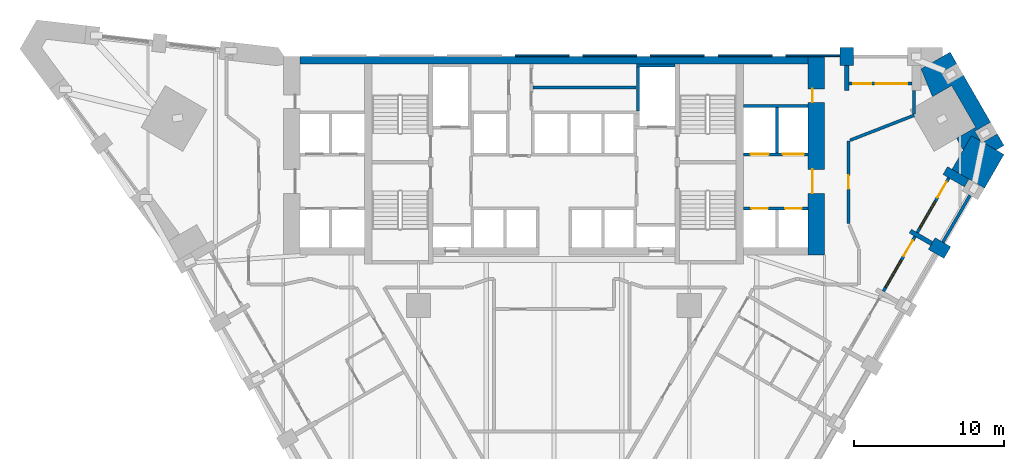
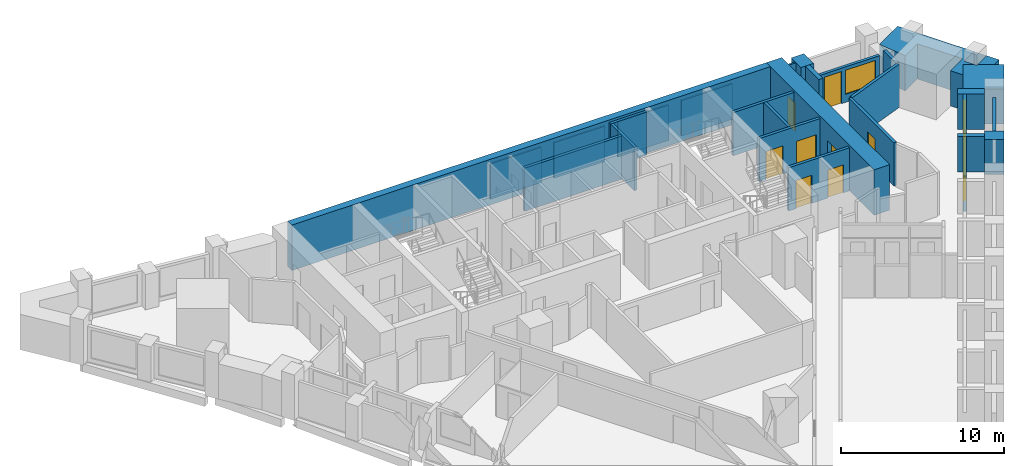
# One storey, part 8 of 10: 28 walls, 10 doors, 3 windows, 13 openings.
"""IFC4 building model written with IfcOpenShell, lengths in metres."""

from ifc_helpers import new_model, si_unit, direction, frame, frame_2d, origin, place, context, subcontext, project, spatial, polyline, rectangle, outline, extrude, material, layer, layer_set, type_object, element, fill, save


model = new_model("IFC4")

# Units and contexts
model_context = context("Model", 3, precision=1e-05, world=origin(), true_north=direction((0.0, 1.0)))
body_context = subcontext(model_context, "Body", "Model", "MODEL_VIEW")
ifc_project = project(units=[si_unit("LENGTHUNIT", "METRE"), si_unit("AREAUNIT", "SQUARE_METRE"), si_unit("VOLUMEUNIT", "CUBIC_METRE"), si_unit("PLANEANGLEUNIT", "RADIAN"), si_unit("MASSUNIT", "GRAM", prefix="KILO")], contexts=[model_context])

# Site, building, storey
site_placement = place(None, origin())
site = spatial("IfcSite", under=ifc_project, at=site_placement, CompositionType="ELEMENT")
building_placement = place(site_placement, origin())
building = spatial("IfcBuilding", under=site, at=building_placement, Name="Calabash Gate Tower", CompositionType="ELEMENT")
storey_placement = place(building_placement, frame((0.0, 0.0, 63.0)))
storey = spatial("IfcBuildingStorey", under=building, at=storey_placement, Name="L11", CompositionType="ELEMENT", Elevation=63.0)

# Walls
ifc_material_1 = material(Name="Terracotta brick masonry, exposed face", Category="masonry")
ifc_layer_1 = layer(ifc_material_1, 2.5)
ifc_layer_set_1 = layer_set([ifc_layer_1], Name="Brick corner mass wall 2500")
wall_type_1 = type_object("IfcWallType", Name="Brick corner mass wall 2500", PredefinedType="SOLIDWALL", material=ifc_layer_set_1)
wall_1_placement = place(storey_placement, origin())
element("IfcWall", 1, at=wall_1_placement, inside=storey, type_object=wall_type_1, Name="Brick corner pier S02 3a", PredefinedType="SOLIDWALL", context=body_context, shape_type="SweptSolid", body=[
    extrude(outline(polyline([(26.478759765625, 11.557373046875), (28.643798828125, 10.307373046875), (29.935302734375, 12.544189453125), (28.53076171875, 13.35498046875), (28.453369140625, 13.310302734375), (28.3759765625, 13.444580078125), (27.770263671875, 13.794189453125), (26.478759765625, 11.557373046875)])), origin(), (0.0, 0.0, 1.0), 2.6298828125),
])
wall_2_placement = place(storey_placement, origin())
element("IfcWall", 2, at=wall_2_placement, inside=storey, type_object=wall_type_1, Name="Brick corner pier S02 3b", PredefinedType="SOLIDWALL", context=body_context, shape_type="SweptSolid", body=[
    extrude(outline(polyline([(27.2216796875, 12.84423828125), (27.770263671875, 13.794189453125), (28.3759765625, 13.444580078125), (28.00341796875, 14.089599609375), (29.042724609375, 14.689697265625), (29.49267578125, 13.910400390625), (28.53076171875, 13.35498046875), (29.41552734375, 12.84423828125), (29.935302734375, 13.144287109375), (26.350830078125, 19.3525390625), (24.413818359375, 18.234375), (25.17724609375, 16.38525390625), (26.45458984375, 17.12255859375), (28.0546875, 14.351318359375), (26.77734375, 13.614013671875), (27.2216796875, 12.84423828125)])), origin(), (0.0, 0.0, 1.0), 2.6298828125),
])
ifc_material_2 = material(Name="Terracotta brick masonry, exposed face", Category="masonry")
ifc_layer_2 = layer(ifc_material_2, 1.199951171875)
ifc_layer_set_2 = layer_set([ifc_layer_2], Name="Brick end wall 1200")
wall_type_2 = type_object("IfcWallType", Name="Brick end wall 1200", PredefinedType="SOLIDWALL", material=ifc_layer_set_2)
wall_3_placement = place(storey_placement, frame((26.168701171875, 6.0205078125, 0.0), z_axis=(0.0, 0.0, 1.0), x_axis=(-0.865955154139, 0.50012165622, 0.0)))
element("IfcWall", 3, at=wall_3_placement, inside=storey, type_object=wall_type_2, Name="Brick pier S02 SE2.9", PredefinedType="SOLIDWALL", context=body_context, shape_type="SweptSolid", body=[
    extrude(rectangle(XDim=1.199951171875, YDim=0.89990234375, at=frame_2d((0.60009765625, 0.0))), origin(), (0.0, 0.0, 1.0), 2.6298828125),
])
wall_4_placement = place(storey_placement, origin())
element("IfcWall", 4, at=wall_4_placement, inside=storey, type_object=wall_type_2, Name="Brick pier S02 N4.1", PredefinedType="SOLIDWALL", context=body_context, shape_type="SweptSolid", body=[
    extrude(outline(polyline([(19.913818359375, 19.652587890625), (19.013916015625, 19.652587890625), (19.013916015625, 18.45263671875), (19.913818359375, 18.45263671875), (19.913818359375, 19.652587890625)])), origin(), (0.0, 0.0, 1.0), 2.64990234375),
])
ifc_material_3 = material(Name="Terracotta brick masonry, exposed face", Category="masonry")
ifc_layer_3 = layer(ifc_material_3, 0.300048828125)
ifc_layer_set_3 = layer_set([ifc_layer_3], Name="Brick loggia cheek wall 300")
wall_type_3 = type_object("IfcWallType", Name="Brick loggia cheek wall 300", PredefinedType="SOLIDWALL", material=ifc_layer_set_3)
wall_5_placement = place(storey_placement, frame((25.129638671875, 6.62060546875, 0.0), z_axis=(0.0, 0.0, 1.0), x_axis=(-0.866040211805, 0.499974350878, 0.0)))
element("IfcWall", 5, at=wall_5_placement, inside=storey, type_object=wall_type_3, Name="Loggia cheek S02 SE2.9", PredefinedType="SOLIDWALL", context=body_context, shape_type="SweptSolid", body=[
    extrude(rectangle(XDim=1.64990234375, YDim=0.300048828125, at=frame_2d((0.824951171875, 0.0))), origin(), (0.0, 0.0, 1.0), 2.64990234375),
])
wall_6_placement = place(storey_placement, frame((27.454345703125, 10.647705078125, 0.0), z_axis=(0.0, 0.0, 1.0), x_axis=(-0.866003217194, 0.500038426333, 0.0)))
element("IfcWall", 6, at=wall_6_placement, inside=storey, type_object=wall_type_3, Name="Loggia cheek S02 SE2.10", PredefinedType="SOLIDWALL", context=body_context, shape_type="SweptSolid", body=[
    extrude(rectangle(XDim=1.649658203125, YDim=0.60009765625, at=frame_2d((0.82470703125, 0.0))), origin(), (0.0, 0.0, 1.0), 2.64990234375),
])
wall_7_placement = place(storey_placement, origin())
element("IfcWall", 7, at=wall_7_placement, inside=storey, type_object=wall_type_3, Name="Loggia cheek S02 N4.1", PredefinedType="SOLIDWALL", context=body_context, shape_type="SweptSolid", body=[
    extrude(outline(polyline([(19.31396484375, 18.45263671875), (19.31396484375, 16.802490234375), (19.614013671875, 16.802490234375), (19.614013671875, 18.45263671875), (19.31396484375, 18.45263671875)])), origin(), (0.0, 0.0, 1.0), 2.64990234375),
])

# Wall, openings, doors
ifc_material_4 = material(Name="Concrete C80/95", Category="concrete")
ifc_layer_4 = layer(ifc_material_4, 1.10009765625)
ifc_layer_set_4 = layer_set([ifc_layer_4], Name="Core wall 1100 Concrete C80/95")
wall_type_4 = type_object("IfcWallType", Name="Core wall 1100 Concrete C80/95", PredefinedType="SHEAR", material=ifc_layer_set_4)
wall_8_placement = place(storey_placement, frame((17.449951171875, 5.8525390625, 0.0), z_axis=(0.0, 0.0, 1.0), x_axis=(0.0, 1.0, 0.0)))
wall_8 = element("IfcWall", 8, at=wall_8_placement, inside=storey, type_object=wall_type_4, Name="Core wall Z1-ENDE L11", PredefinedType="SHEAR", context=body_context, shape_type="SweptSolid", body=[
    extrude(rectangle(XDim=13.199951171875, YDim=1.10009765625, at=frame_2d((6.60009765625, 0.0))), origin(), (0.0, 0.0, 1.0), 3.39990234375),
])
opening_1_placement = place(wall_8_placement, frame((4.10009765625, 0.0, 0.0)))
opening_1 = element("IfcOpeningElement", 9, at=opening_1_placement, cuts=wall_8, Name="Opening H2-002", PredefinedType="OPENING", context=body_context, shape_type="SweptSolid", body=[
    extrude(rectangle(XDim=1.60009765625, YDim=2.10009765625, at=frame_2d((0.800048828125, 1.050048828125))), frame((0.0, 0.56005859375, 0.0), z_axis=(0.0, -1.0, 0.0), x_axis=(1.0, 0.0, 0.0)), (0.0, 0.0, 1.0), 1.1201171875),
])
opening_2_placement = place(wall_8_placement, frame((10.14990234375, 0.0, 0.0)))
opening_2 = element("IfcOpeningElement", 10, at=opening_2_placement, cuts=wall_8, Name="Opening H2-001", PredefinedType="OPENING", context=body_context, shape_type="SweptSolid", body=[
    extrude(rectangle(XDim=0.89990234375, YDim=2.10009765625, at=frame_2d((0.449951171875, 1.050048828125))), frame((0.0, 0.56005859375, 0.0), z_axis=(0.0, -1.0, 0.0), x_axis=(1.0, 0.0, 0.0)), (0.0, 0.0, 1.0), 1.1201171875),
])
ifc_material_5 = material(Name="Steel fire door set with fire-resisting glazing", Category="steel")
door_type_1 = type_object("IfcDoorType", Name="Double fire door D08 1600x2100 FD60", OperationType="DOUBLE_DOOR_SINGLE_SWING", PredefinedType="DOOR", material=ifc_material_5)
door_1_placement = place(opening_1_placement, origin())
door_1 = element("IfcDoor", 11, at=door_1_placement, inside=storey, type_object=door_type_1, Name="Low-rise Lift Lobby E door", OperationType="DOUBLE_DOOR_SINGLE_SWING", OverallHeight=2.10009765625, OverallWidth=1.60009765625, PredefinedType="DOOR", context=body_context, shape_type="SweptSolid", body=[
    extrude(rectangle(XDim=1.60009765625, YDim=2.10009765625, at=frame_2d((0.800048828125, 1.050048828125))), frame((0.0, 0.27490234375, 0.0), z_axis=(0.0, -1.0, 0.0), x_axis=(1.0, 0.0, 0.0)), (0.0, 0.0, 1.0), 0.050048828125),
])
fill(opening_1, door_1)
ifc_material_6 = material(Name="Steel fire door set with fire-resisting glazing", Category="steel")
door_type_2 = type_object("IfcDoorType", Name="Fire door D06 900x2100 FD60", OperationType="NOTDEFINED", PredefinedType="DOOR", material=ifc_material_6)
door_2_placement = place(opening_2_placement, origin())
door_2 = element("IfcDoor", 12, at=door_2_placement, inside=storey, type_object=door_type_2, Name="Luggage Store door", OperationType="SINGLE_SWING_LEFT", OverallHeight=2.10009765625, OverallWidth=0.89990234375, PredefinedType="DOOR", context=body_context, shape_type="SweptSolid", body=[
    extrude(rectangle(XDim=0.89990234375, YDim=2.10009765625, at=frame_2d((0.449951171875, 1.050048828125))), frame((0.0, 0.27490234375, 0.0), z_axis=(0.0, -1.0, 0.0), x_axis=(1.0, 0.0, 0.0)), (0.0, 0.0, 1.0), 0.050048828125),
])
fill(opening_2, door_2)

# Wall
ifc_material_7 = material(Name="Concrete C80/95", Category="concrete")
ifc_layer_5 = layer(ifc_material_7, 0.5)
ifc_layer_set_5 = layer_set([ifc_layer_5], Name="Core wall 500 Concrete C80/95")
wall_type_5 = type_object("IfcWallType", Name="Core wall 500 Concrete C80/95", PredefinedType="SHEAR", material=ifc_layer_set_5)
wall_9_placement = place(storey_placement, frame((-16.89990234375, 18.802490234375, 0.0), z_axis=(0.0, 0.0, 1.0), x_axis=(1.0, 0.0, 0.0)))
element("IfcWall", 13, at=wall_9_placement, inside=storey, type_object=wall_type_5, Name="Core wall Z1-N L11", PredefinedType="SHEAR", context=body_context, shape_type="SweptSolid", body=[
    extrude(rectangle(XDim=33.7998046875, YDim=0.5, at=frame_2d((16.89990234375, 0.0))), origin(), (0.0, 0.0, 1.0), 3.39990234375),
])

# Wall, opening, door
ifc_material_8 = material(Name="Gypsum board on steel studs, mineral wool", Category="steel")
ifc_layer_6 = layer(ifc_material_8, 0.199951171875)
ifc_layer_set_6 = layer_set([ifc_layer_6], Name="Partition 200 gypsum board EI 60")
wall_type_6 = type_object("IfcWallType", Name="Partition 200 gypsum board EI 60", PredefinedType="PARTITIONING", material=ifc_layer_set_6)
wall_10_placement = place(storey_placement, frame((19.6005859375, 7.95263671875, 0.0), z_axis=(0.0, 0.0, 1.0), x_axis=(0.0, 1.0, 0.0)))
wall_10 = element("IfcWall", 14, at=wall_10_placement, inside=storey, type_object=wall_type_6, Name="Partition", PredefinedType="PARTITIONING", context=body_context, shape_type="SweptSolid", body=[
    extrude(rectangle(XDim=5.49951171875, YDim=0.199951171875, at=frame_2d((2.749755859375, 0.0))), origin(), (0.0, 0.0, 1.0), 3.22998046875),
])
opening_3_placement = place(wall_10_placement, frame((2.2998046875, 0.0, 0.0)))
opening_3 = element("IfcOpeningElement", 15, at=opening_3_placement, cuts=wall_10, Name="Opening 09-11-019", PredefinedType="OPENING", context=body_context, shape_type="SweptSolid", body=[
    extrude(rectangle(XDim=0.89990234375, YDim=2.10009765625, at=frame_2d((0.449951171875, 1.050048828125))), frame((0.0, 0.10986328125, 0.0), z_axis=(0.0, -1.0, 0.0), x_axis=(1.0, 0.0, 0.0)), (0.0, 0.0, 1.0), 0.219970703125),
])
ifc_material_9 = material(Name="Steel fire door set with fire-resisting glazing", Category="steel")
door_type_3 = type_object("IfcDoorType", Name="SD3 Store door 900x2100", OperationType="NOTDEFINED", PredefinedType="DOOR", material=ifc_material_9)
door_3_placement = place(opening_3_placement, origin())
door_3 = element("IfcDoor", 16, at=door_3_placement, inside=storey, type_object=door_type_3, Name="Store door", OperationType="SINGLE_SWING_RIGHT", OverallHeight=2.10009765625, OverallWidth=0.89990234375, PredefinedType="DOOR", context=body_context, shape_type="SweptSolid", body=[
    extrude(rectangle(XDim=0.89990234375, YDim=2.10009765625, at=frame_2d((0.449951171875, 1.050048828125))), frame((0.0, 0.02490234375, 0.0), z_axis=(0.0, -1.0, 0.0), x_axis=(1.0, 0.0, 0.0)), (0.0, 0.0, 1.0), 0.050048828125),
])
fill(opening_3, door_3)

# Walls
wall_11_placement = place(storey_placement, frame((19.693603515625, 13.488525390625, 0.0), z_axis=(0.0, 0.0, 1.0), x_axis=(0.931796580006, 0.36298089962, 0.0)))
element("IfcWall", 17, at=wall_11_placement, inside=storey, type_object=wall_type_6, Name="Partition", PredefinedType="PARTITIONING", context=body_context, shape_type="SweptSolid", body=[
    extrude(rectangle(XDim=4.5830078125, YDim=0.199951171875, at=frame_2d((2.29150390625, 0.0))), origin(), (0.0, 0.0, 1.0), 3.22998046875),
])
wall_12_placement = place(storey_placement, frame((23.964111328125, 15.252197265625, 0.0), z_axis=(0.0, 0.0, 1.0), x_axis=(0.000157480313, 0.9999999876, 0.0)))
element("IfcWall", 18, at=wall_12_placement, inside=storey, type_object=wall_type_6, Name="Partition", PredefinedType="PARTITIONING", context=body_context, shape_type="SweptSolid", body=[
    extrude(rectangle(XDim=1.55029296875, YDim=0.199951171875, at=frame_2d((0.775146484375, 0.0))), origin(), (0.0, 0.0, 1.0), 3.22998046875),
])

# Wall, openings, doors
ifc_material_10 = material(Name="Concrete C40/50", Category="concrete")
ifc_layer_7 = layer(ifc_material_10, 0.199951171875)
ifc_layer_set_7 = layer_set([ifc_layer_7], Name="Shaft wall 200 Concrete C40/50")
wall_type_7 = type_object("IfcWallType", Name="Shaft wall 200 Concrete C40/50", PredefinedType="SOLIDWALL", material=ifc_layer_set_7)
wall_13_placement = place(storey_placement, frame((12.60009765625, 8.95263671875, 0.0), z_axis=(0.0, 0.0, 1.0), x_axis=(1.0, 0.0, 0.0)))
wall_13 = element("IfcWall", 19, at=wall_13_placement, inside=storey, type_object=wall_type_7, Name="Shaft wall", PredefinedType="SOLIDWALL", context=body_context, shape_type="SweptSolid", body=[
    extrude(rectangle(XDim=4.2998046875, YDim=0.199951171875, at=frame_2d((2.14990234375, 0.0))), origin(), (0.0, 0.0, 1.0), 3.22998046875),
])
opening_4_placement = place(wall_13_placement, frame((0.52490234375, 0.0, 0.0)))
opening_4 = element("IfcOpeningElement", 20, at=opening_4_placement, cuts=wall_13, Name="Opening LD-LR5", PredefinedType="OPENING", context=body_context, shape_type="SweptSolid", body=[
    extrude(rectangle(XDim=1.10009765625, YDim=2.10009765625, at=frame_2d((0.550048828125, 1.050048828125))), frame((0.0, 0.10986328125, 0.0), z_axis=(0.0, -1.0, 0.0), x_axis=(1.0, 0.0, 0.0)), (0.0, 0.0, 1.0), 0.219970703125),
])
opening_5_placement = place(wall_13_placement, frame((2.77490234375, 0.0, 0.0)))
opening_5 = element("IfcOpeningElement", 21, at=opening_5_placement, cuts=wall_13, Name="Opening LD-LR6", PredefinedType="OPENING", context=body_context, shape_type="SweptSolid", body=[
    extrude(rectangle(XDim=1.10009765625, YDim=2.10009765625, at=frame_2d((0.550048828125, 1.050048828125))), frame((0.0, 0.10986328125, 0.0), z_axis=(0.0, -1.0, 0.0), x_axis=(1.0, 0.0, 0.0)), (0.0, 0.0, 1.0), 0.219970703125),
])
ifc_material_11 = material(Name="Stainless steel sliding door leaves", Category="steel")
door_type_4 = type_object("IfcDoorType", Name="Lift landing door LS1 1100x2100 FD90", OperationType="DOUBLE_DOOR_SLIDING", PredefinedType="DOOR", material=ifc_material_11)
door_4_placement = place(opening_4_placement, origin())
door_4 = element("IfcDoor", 22, at=door_4_placement, inside=storey, type_object=door_type_4, Name="Lift landing door LR5", OperationType="DOUBLE_DOOR_SLIDING", OverallHeight=2.10009765625, OverallWidth=1.10009765625, PredefinedType="DOOR", context=body_context, shape_type="SweptSolid", body=[
    extrude(rectangle(XDim=1.10009765625, YDim=2.10009765625, at=frame_2d((0.550048828125, 1.050048828125))), frame((0.0, 0.02490234375, 0.0), z_axis=(0.0, -1.0, 0.0), x_axis=(1.0, 0.0, 0.0)), (0.0, 0.0, 1.0), 0.050048828125),
])
fill(opening_4, door_4)
door_5_placement = place(opening_5_placement, origin())
door_5 = element("IfcDoor", 23, at=door_5_placement, inside=storey, type_object=door_type_4, Name="Lift landing door LR6", OperationType="DOUBLE_DOOR_SLIDING", OverallHeight=2.10009765625, OverallWidth=1.10009765625, PredefinedType="DOOR", context=body_context, shape_type="SweptSolid", body=[
    extrude(rectangle(XDim=1.10009765625, YDim=2.10009765625, at=frame_2d((0.550048828125, 1.050048828125))), frame((0.0, 0.02490234375, 0.0), z_axis=(0.0, -1.0, 0.0), x_axis=(1.0, 0.0, 0.0)), (0.0, 0.0, 1.0), 0.050048828125),
])
fill(opening_5, door_5)

wall_14_placement = place(storey_placement, frame((12.60009765625, 12.552490234375, 0.0), z_axis=(0.0, 0.0, 1.0), x_axis=(1.0, 0.0, 0.0)))
wall_14 = element("IfcWall", 24, at=wall_14_placement, inside=storey, type_object=wall_type_7, Name="Shaft wall", PredefinedType="SOLIDWALL", context=body_context, shape_type="SweptSolid", body=[
    extrude(rectangle(XDim=4.2998046875, YDim=0.199951171875, at=frame_2d((2.14990234375, 0.0))), origin(), (0.0, 0.0, 1.0), 3.22998046875),
])
opening_6_placement = place(wall_14_placement, frame((0.47509765625, 0.0, 0.0)))
opening_6 = element("IfcOpeningElement", 25, at=opening_6_placement, cuts=wall_14, Name="Opening LD-SL1", PredefinedType="OPENING", context=body_context, shape_type="SweptSolid", body=[
    extrude(rectangle(XDim=1.199951171875, YDim=2.10009765625, at=frame_2d((0.60009765625, 1.050048828125))), frame((0.0, 0.10986328125, 0.0), z_axis=(0.0, -1.0, 0.0), x_axis=(1.0, 0.0, 0.0)), (0.0, 0.0, 1.0), 0.219970703125),
])
opening_7_placement = place(wall_14_placement, frame((2.625, 0.0, 0.0)))
opening_7 = element("IfcOpeningElement", 26, at=opening_7_placement, cuts=wall_14, Name="Opening LD-GL1", PredefinedType="OPENING", context=body_context, shape_type="SweptSolid", body=[
    extrude(rectangle(XDim=1.39990234375, YDim=2.10009765625, at=frame_2d((0.699951171875, 1.050048828125))), frame((0.0, 0.10986328125, 0.0), z_axis=(0.0, -1.0, 0.0), x_axis=(1.0, 0.0, 0.0)), (0.0, 0.0, 1.0), 0.219970703125),
])
ifc_material_12 = material(Name="Stainless steel sliding door leaves", Category="steel")
door_type_5 = type_object("IfcDoorType", Name="Lift landing door LS3 1200x2100 FD90", OperationType="DOUBLE_DOOR_SLIDING", PredefinedType="DOOR", material=ifc_material_12)
door_6_placement = place(opening_6_placement, origin())
door_6 = element("IfcDoor", 27, at=door_6_placement, inside=storey, type_object=door_type_5, Name="Lift landing door SL1", OperationType="DOUBLE_DOOR_SLIDING", OverallHeight=2.10009765625, OverallWidth=1.199951171875, PredefinedType="DOOR", context=body_context, shape_type="SweptSolid", body=[
    extrude(rectangle(XDim=1.199951171875, YDim=2.10009765625, at=frame_2d((0.60009765625, 1.050048828125))), frame((0.0, 0.02490234375, 0.0), z_axis=(0.0, -1.0, 0.0), x_axis=(1.0, 0.0, 0.0)), (0.0, 0.0, 1.0), 0.050048828125),
])
fill(opening_6, door_6)
ifc_material_13 = material(Name="Stainless steel sliding door leaves", Category="steel")
door_type_6 = type_object("IfcDoorType", Name="Lift landing door LS4 1400x2100 FD90", OperationType="DOUBLE_DOOR_SLIDING", PredefinedType="DOOR", material=ifc_material_13)
door_7_placement = place(opening_7_placement, origin())
door_7 = element("IfcDoor", 28, at=door_7_placement, inside=storey, type_object=door_type_6, Name="Lift landing door GL1", OperationType="DOUBLE_DOOR_SLIDING", OverallHeight=2.10009765625, OverallWidth=1.39990234375, PredefinedType="DOOR", context=body_context, shape_type="SweptSolid", body=[
    extrude(rectangle(XDim=1.39990234375, YDim=2.10009765625, at=frame_2d((0.699951171875, 1.050048828125))), frame((0.0, 0.02490234375, 0.0), z_axis=(0.0, -1.0, 0.0), x_axis=(1.0, 0.0, 0.0)), (0.0, 0.0, 1.0), 0.050048828125),
])
fill(opening_7, door_7)

# Walls
wall_15_placement = place(storey_placement, frame((14.85009765625, 12.652587890625, 0.0), z_axis=(0.0, 0.0, 1.0), x_axis=(0.0, 1.0, 0.0)))
element("IfcWall", 29, at=wall_15_placement, inside=storey, type_object=wall_type_7, Name="Shaft wall", PredefinedType="SOLIDWALL", context=body_context, shape_type="SweptSolid", body=[
    extrude(rectangle(XDim=3.0, YDim=0.199951171875, at=frame_2d((1.5, 0.0))), origin(), (0.0, 0.0, 1.0), 3.22998046875),
])
wall_16_placement = place(storey_placement, frame((5.60009765625, 15.45263671875, 0.0), z_axis=(0.0, 0.0, 1.0), x_axis=(0.0, 1.0, 0.0)))
element("IfcWall", 30, at=wall_16_placement, inside=storey, type_object=wall_type_7, Name="Shaft wall", PredefinedType="SOLIDWALL", context=body_context, shape_type="SweptSolid", body=[
    extrude(rectangle(XDim=2.89990234375, YDim=0.199951171875, at=frame_2d((1.449951171875, 0.0))), origin(), (0.0, 0.0, 1.0), 3.22998046875),
])
wall_17_placement = place(storey_placement, frame((12.60009765625, 15.752685546875, 0.0), z_axis=(0.0, 0.0, 1.0), x_axis=(1.0, 0.0, 0.0)))
element("IfcWall", 31, at=wall_17_placement, inside=storey, type_object=wall_type_7, Name="Shaft wall", PredefinedType="SOLIDWALL", context=body_context, shape_type="SweptSolid", body=[
    extrude(rectangle(XDim=4.2998046875, YDim=0.199951171875, at=frame_2d((2.14990234375, 0.0))), origin(), (0.0, 0.0, 1.0), 3.22998046875),
])
wall_18_placement = place(storey_placement, frame((-1.39990234375, 17.002685546875, 0.0), z_axis=(0.0, 0.0, 1.0), x_axis=(1.0, 0.0, 0.0)))
element("IfcWall", 32, at=wall_18_placement, inside=storey, type_object=wall_type_7, Name="Shaft wall", PredefinedType="SOLIDWALL", context=body_context, shape_type="SweptSolid", body=[
    extrude(rectangle(XDim=6.849853515625, YDim=0.199951171875, at=frame_2d((3.4248046875, 0.0))), origin(), (0.0, 0.0, 1.0), 3.22998046875),
])
wall_19_placement = place(storey_placement, frame((5.5, 18.45263671875, 0.0), z_axis=(0.0, 0.0, 1.0), x_axis=(1.0, 0.0, 0.0)))
element("IfcWall", 33, at=wall_19_placement, inside=storey, type_object=wall_type_7, Name="Shaft wall", PredefinedType="SOLIDWALL", context=body_context, shape_type="SweptSolid", body=[
    extrude(rectangle(XDim=2.550048828125, YDim=0.199951171875, at=frame_2d((1.27490234375, 0.0))), origin(), (0.0, 0.0, 1.0), 3.22998046875),
])
ifc_material_14 = material(Name="Terracotta brick masonry, perforated", Category="masonry")
ifc_layer_8 = layer(ifc_material_14, 0.1201171875)
ifc_layer_set_8 = layer_set([ifc_layer_8], Name="Terracotta jaali cladding B 120")
wall_type_8 = type_object("IfcWallType", Name="Terracotta jaali cladding B 120", PredefinedType="SOLIDWALL", material=ifc_layer_set_8)
wall_20_placement = place(storey_placement, origin())
element("IfcWall", 34, at=wall_20_placement, inside=storey, type_object=wall_type_8, Name="Jaali cladding S02 N4.3", PredefinedType="SOLIDWALL", context=body_context, shape_type="SweptSolid", body=[
    extrude(outline(polyline([(10.913818359375, 19.172607421875), (10.913818359375, 19.052490234375), (14.513916015625, 19.052490234375), (14.513916015625, 19.172607421875), (10.913818359375, 19.172607421875)])), origin(), (0.0, 0.0, 1.0), 2.64990234375),
])
wall_21_placement = place(storey_placement, origin())
element("IfcWall", 35, at=wall_21_placement, inside=storey, type_object=wall_type_8, Name="Jaali cladding S02 N4.5", PredefinedType="SOLIDWALL", context=body_context, shape_type="SweptSolid", body=[
    extrude(outline(polyline([(1.913818359375, 19.172607421875), (1.913818359375, 19.052490234375), (5.513916015625, 19.052490234375), (5.513916015625, 19.172607421875), (1.913818359375, 19.172607421875)])), origin(), (0.0, 0.0, 1.0), 2.64990234375),
])
ifc_material_15 = material(Name="Terracotta brick masonry, perforated", Category="masonry")
ifc_layer_9 = layer(ifc_material_15, 0.199951171875)
ifc_layer_set_9 = layer_set([ifc_layer_9], Name="Terracotta jaali screen B")
wall_type_9 = type_object("IfcWallType", Name="Terracotta jaali screen B", PredefinedType="SOLIDWALL", material=ifc_layer_set_9)
wall_22_placement = place(storey_placement, frame((25.874267578125, 6.710205078125, 0.0), z_axis=(0.0, 0.0, 1.0), x_axis=(0.499961193289, 0.866047807691, 0.0)))
element("IfcWall", 36, at=wall_22_placement, inside=storey, type_object=wall_type_9, Name="SCREEN B S02 SE2.10", PredefinedType="SOLIDWALL", context=body_context, shape_type="SweptSolid", body=[
    extrude(rectangle(XDim=3.599853515625, YDim=0.199951171875, at=frame_2d((1.7998046875, 0.0))), origin(), (0.0, 0.0, 1.0), 2.6298828125),
])
ifc_material_16 = material(Name="Terracotta louvre blades in an aluminium frame", Category="masonry")
ifc_layer_10 = layer(ifc_material_16, 0.1201171875)
ifc_layer_set_10 = layer_set([ifc_layer_10], Name="Terracotta vent louvre cladding 120")
wall_type_10 = type_object("IfcWallType", Name="Terracotta vent louvre cladding 120", PredefinedType="ELEMENTEDWALL", material=ifc_layer_set_10)
wall_23_placement = place(storey_placement, origin())
element("IfcWall", 37, at=wall_23_placement, inside=storey, type_object=wall_type_10, Name="Vent louvre cladding S02 N4.2", PredefinedType="ELEMENTEDWALL", context=body_context, shape_type="SweptSolid", body=[
    extrude(outline(polyline([(15.413818359375, 19.172607421875), (15.413818359375, 19.052490234375), (19.013427734375, 19.052490234375), (19.013427734375, 19.172607421875), (15.413818359375, 19.172607421875)])), origin(), (0.0, 0.0, 1.0), 2.64990234375),
])
wall_24_placement = place(storey_placement, origin())
element("IfcWall", 38, at=wall_24_placement, inside=storey, type_object=wall_type_10, Name="Vent louvre cladding S02 N4.4", PredefinedType="ELEMENTEDWALL", context=body_context, shape_type="SweptSolid", body=[
    extrude(outline(polyline([(6.413818359375, 19.172607421875), (6.413818359375, 19.052490234375), (10.013916015625, 19.052490234375), (10.013916015625, 19.172607421875), (6.413818359375, 19.172607421875)])), origin(), (0.0, 0.0, 1.0), 2.64990234375),
])
wall_25_placement = place(storey_placement, origin())
element("IfcWall", 39, at=wall_25_placement, inside=storey, type_object=wall_type_10, Name="Vent louvre cladding S02 N4.6", PredefinedType="ELEMENTEDWALL", context=body_context, shape_type="SweptSolid", body=[
    extrude(outline(polyline([(-2.586181640625, 19.172607421875), (-2.586181640625, 19.052490234375), (1.013916015625, 19.052490234375), (1.013916015625, 19.172607421875), (-2.586181640625, 19.172607421875)])), origin(), (0.0, 0.0, 1.0), 2.64990234375),
])

# Wall, openings, door, window
ifc_material_17 = material(Name="Aluminium framed window wall with insulated spandrel", Category="aluminium")
ifc_layer_11 = layer(ifc_material_17, 0.199951171875)
ifc_layer_set_11 = layer_set([ifc_layer_11], Name="Window wall 200")
wall_type_11 = type_object("IfcWallType", Name="Window wall 200", PredefinedType="ELEMENTEDWALL", material=ifc_layer_set_11)
wall_26_placement = place(storey_placement, frame((21.915283203125, 3.453369140625, 0.0), z_axis=(0.0, 0.0, 1.0), x_axis=(0.500027713859, 0.866009402589, 0.0)))
wall_26 = element("IfcWall", 40, at=wall_26_placement, inside=storey, type_object=wall_type_11, Name="Window wall S02 SE2.9", PredefinedType="ELEMENTEDWALL", context=body_context, shape_type="SweptSolid", body=[
    extrude(rectangle(XDim=4.199951171875, YDim=0.199951171875, at=frame_2d((2.10009765625, 0.0))), origin(), (0.0, 0.0, 1.0), 2.64990234375),
])
opening_8_placement = place(wall_26_placement, frame((0.300048828125, 0.0, 0.60009765625)))
opening_8 = element("IfcOpeningElement", 41, at=opening_8_placement, cuts=wall_26, Name="Opening HW1", PredefinedType="OPENING", context=body_context, shape_type="SweptSolid", body=[
    extrude(rectangle(XDim=2.10009765625, YDim=1.800048828125, at=frame_2d((1.050048828125, 0.89990234375))), frame((0.0, 0.10986328125, 0.0), z_axis=(0.0, -1.0, 0.0), x_axis=(1.0, 0.0, 0.0)), (0.0, 0.0, 1.0), 0.219970703125),
])
opening_9_placement = place(wall_26_placement, frame((2.699951171875, 0.0, 0.0)))
opening_9 = element("IfcOpeningElement", 42, at=opening_9_placement, cuts=wall_26, Name="Opening H2-021", PredefinedType="OPENING", context=body_context, shape_type="SweptSolid", body=[
    extrude(rectangle(XDim=1.199951171875, YDim=2.39990234375, at=frame_2d((0.60009765625, 1.199951171875))), frame((0.0, 0.10986328125, 0.0), z_axis=(0.0, -1.0, 0.0), x_axis=(1.0, 0.0, 0.0)), (0.0, 0.0, 1.0), 0.219970703125),
])
ifc_material_18 = material(Name="Anodised aluminium frame, bronze finish, impact-rated laminated clear glazing", Category="aluminium")
door_type_7 = type_object("IfcDoorType", Name="Loggia door DH1 1200x2400", OperationType="SLIDING_TO_LEFT", PredefinedType="DOOR", material=ifc_material_18)
door_8_placement = place(opening_9_placement, origin())
door_8 = element("IfcDoor", 43, at=door_8_placement, inside=storey, type_object=door_type_7, Name="Loggia door S02 SE2.9", OperationType="SINGLE_SWING_LEFT", OverallHeight=2.39990234375, OverallWidth=1.199951171875, PredefinedType="DOOR", context=body_context, shape_type="SweptSolid", body=[
    extrude(rectangle(XDim=1.199951171875, YDim=2.39990234375, at=frame_2d((0.60009765625, 1.199951171875))), frame((0.0, 0.02490234375, 0.0), z_axis=(0.0, -1.0, 0.0), x_axis=(1.0, 0.0, 0.0)), (0.0, 0.0, 1.0), 0.050048828125),
])
fill(opening_9, door_8)
ifc_material_19 = material(Name="Anodised aluminium frame, bronze finish, impact-rated laminated clear glazing", Category="aluminium")
window_type = type_object("IfcWindowType", Name="Window HW1 2100x1800", PartitioningType="DOUBLE_PANEL_VERTICAL", PredefinedType="WINDOW", material=ifc_material_19)
window_1_placement = place(opening_8_placement, origin())
window_1 = element("IfcWindow", 44, at=window_1_placement, inside=storey, type_object=window_type, Name="Window HW1 S02 SE2.9", OverallHeight=1.800048828125, OverallWidth=2.10009765625, PartitioningType="SINGLE_PANEL", PredefinedType="WINDOW", context=body_context, shape_type="SweptSolid", body=[
    extrude(rectangle(XDim=2.10009765625, YDim=1.800048828125, at=frame_2d((1.050048828125, 0.89990234375))), frame((0.0, 0.030029296875, 0.0), z_axis=(0.0, -1.0, 0.0), x_axis=(1.0, 0.0, 0.0)), (0.0, 0.0, 1.0), 0.06005859375),
])
fill(opening_8, window_1)

wall_27_placement = place(storey_placement, frame((24.165283203125, 7.350341796875, 0.0), z_axis=(0.0, 0.0, 1.0), x_axis=(0.500002543286, 0.866023935413, 0.0)))
wall_27 = element("IfcWall", 45, at=wall_27_placement, inside=storey, type_object=wall_type_11, Name="Window wall S02 SE2.10", PredefinedType="ELEMENTEDWALL", context=body_context, shape_type="SweptSolid", body=[
    extrude(rectangle(XDim=4.2001953125, YDim=0.199951171875, at=frame_2d((2.10009765625, 0.0))), origin(), (0.0, 0.0, 1.0), 2.64990234375),
])
opening_10_placement = place(wall_27_placement, frame((0.300048828125, 0.0, 0.60009765625)))
opening_10 = element("IfcOpeningElement", 46, at=opening_10_placement, cuts=wall_27, Name="Opening HW1", PredefinedType="OPENING", context=body_context, shape_type="SweptSolid", body=[
    extrude(rectangle(XDim=2.10009765625, YDim=1.800048828125, at=frame_2d((1.050048828125, 0.89990234375))), frame((0.0, 0.10986328125, 0.0), z_axis=(0.0, -1.0, 0.0), x_axis=(1.0, 0.0, 0.0)), (0.0, 0.0, 1.0), 0.219970703125),
])
opening_11_placement = place(wall_27_placement, frame((2.699951171875, 0.0, 0.0)))
opening_11 = element("IfcOpeningElement", 47, at=opening_11_placement, cuts=wall_27, Name="Opening H2-022", PredefinedType="OPENING", context=body_context, shape_type="SweptSolid", body=[
    extrude(rectangle(XDim=1.199951171875, YDim=2.39990234375, at=frame_2d((0.60009765625, 1.199951171875))), frame((0.0, 0.10986328125, 0.0), z_axis=(0.0, -1.0, 0.0), x_axis=(1.0, 0.0, 0.0)), (0.0, 0.0, 1.0), 0.219970703125),
])
door_9_placement = place(opening_11_placement, origin())
door_9 = element("IfcDoor", 48, at=door_9_placement, inside=storey, type_object=door_type_7, Name="Loggia door S02 SE2.10", OperationType="SINGLE_SWING_LEFT", OverallHeight=2.39990234375, OverallWidth=1.199951171875, PredefinedType="DOOR", context=body_context, shape_type="SweptSolid", body=[
    extrude(rectangle(XDim=1.199951171875, YDim=2.39990234375, at=frame_2d((0.60009765625, 1.199951171875))), frame((0.0, 0.02490234375, 0.0), z_axis=(0.0, -1.0, 0.0), x_axis=(1.0, 0.0, 0.0)), (0.0, 0.0, 1.0), 0.050048828125),
])
fill(opening_11, door_9)
window_2_placement = place(opening_10_placement, origin())
window_2 = element("IfcWindow", 49, at=window_2_placement, inside=storey, type_object=window_type, Name="Window HW1 S02 SE2.10", OverallHeight=1.800048828125, OverallWidth=2.10009765625, PartitioningType="SINGLE_PANEL", PredefinedType="WINDOW", context=body_context, shape_type="SweptSolid", body=[
    extrude(rectangle(XDim=2.10009765625, YDim=1.800048828125, at=frame_2d((1.050048828125, 0.89990234375))), frame((0.0, 0.030029296875, 0.0), z_axis=(0.0, -1.0, 0.0), x_axis=(1.0, 0.0, 0.0)), (0.0, 0.0, 1.0), 0.06005859375),
])
fill(opening_10, window_2)

wall_28_placement = place(storey_placement, frame((23.81396484375, 17.25244140625, 0.0), z_axis=(0.0, 0.0, 1.0), x_axis=(-1.0, 0.0, 0.0)))
wall_28 = element("IfcWall", 50, at=wall_28_placement, inside=storey, type_object=wall_type_11, Name="Window wall S02 N4.1", PredefinedType="ELEMENTEDWALL", context=body_context, shape_type="SweptSolid", body=[
    extrude(rectangle(XDim=4.199951171875, YDim=0.199951171875, at=frame_2d((2.10009765625, 0.0))), origin(), (0.0, 0.0, 1.0), 2.64990234375),
])
opening_12_placement = place(wall_28_placement, frame((0.300048828125, 0.0, 0.60009765625)))
opening_12 = element("IfcOpeningElement", 51, at=opening_12_placement, cuts=wall_28, Name="Opening HW1", PredefinedType="OPENING", context=body_context, shape_type="SweptSolid", body=[
    extrude(rectangle(XDim=2.10009765625, YDim=1.800048828125, at=frame_2d((1.050048828125, 0.89990234375))), frame((0.0, 0.10986328125, 0.0), z_axis=(0.0, -1.0, 0.0), x_axis=(1.0, 0.0, 0.0)), (0.0, 0.0, 1.0), 0.219970703125),
])
opening_13_placement = place(wall_28_placement, frame((2.699951171875, 0.0, 0.0)))
opening_13 = element("IfcOpeningElement", 52, at=opening_13_placement, cuts=wall_28, Name="Opening H2-017", PredefinedType="OPENING", context=body_context, shape_type="SweptSolid", body=[
    extrude(rectangle(XDim=1.199951171875, YDim=2.39990234375, at=frame_2d((0.60009765625, 1.199951171875))), frame((0.0, 0.10986328125, 0.0), z_axis=(0.0, -1.0, 0.0), x_axis=(1.0, 0.0, 0.0)), (0.0, 0.0, 1.0), 0.219970703125),
])
door_10_placement = place(opening_13_placement, origin())
door_10 = element("IfcDoor", 53, at=door_10_placement, inside=storey, type_object=door_type_7, Name="Loggia door S02 N4.1", OperationType="SINGLE_SWING_LEFT", OverallHeight=2.39990234375, OverallWidth=1.199951171875, PredefinedType="DOOR", context=body_context, shape_type="SweptSolid", body=[
    extrude(rectangle(XDim=1.199951171875, YDim=2.39990234375, at=frame_2d((0.60009765625, 1.199951171875))), frame((0.0, 0.02490234375, 0.0), z_axis=(0.0, -1.0, 0.0), x_axis=(1.0, 0.0, 0.0)), (0.0, 0.0, 1.0), 0.050048828125),
])
fill(opening_13, door_10)
window_3_placement = place(opening_12_placement, origin())
window_3 = element("IfcWindow", 54, at=window_3_placement, inside=storey, type_object=window_type, Name="Window HW1 S02 N4.1", OverallHeight=1.800048828125, OverallWidth=2.10009765625, PartitioningType="SINGLE_PANEL", PredefinedType="WINDOW", context=body_context, shape_type="SweptSolid", body=[
    extrude(rectangle(XDim=2.10009765625, YDim=1.800048828125, at=frame_2d((1.050048828125, 0.89990234375))), frame((0.0, 0.030029296875, 0.0), z_axis=(0.0, -1.0, 0.0), x_axis=(1.0, 0.0, 0.0)), (0.0, 0.0, 1.0), 0.06005859375),
])
fill(opening_12, window_3)

save(model, "model.ifc")
